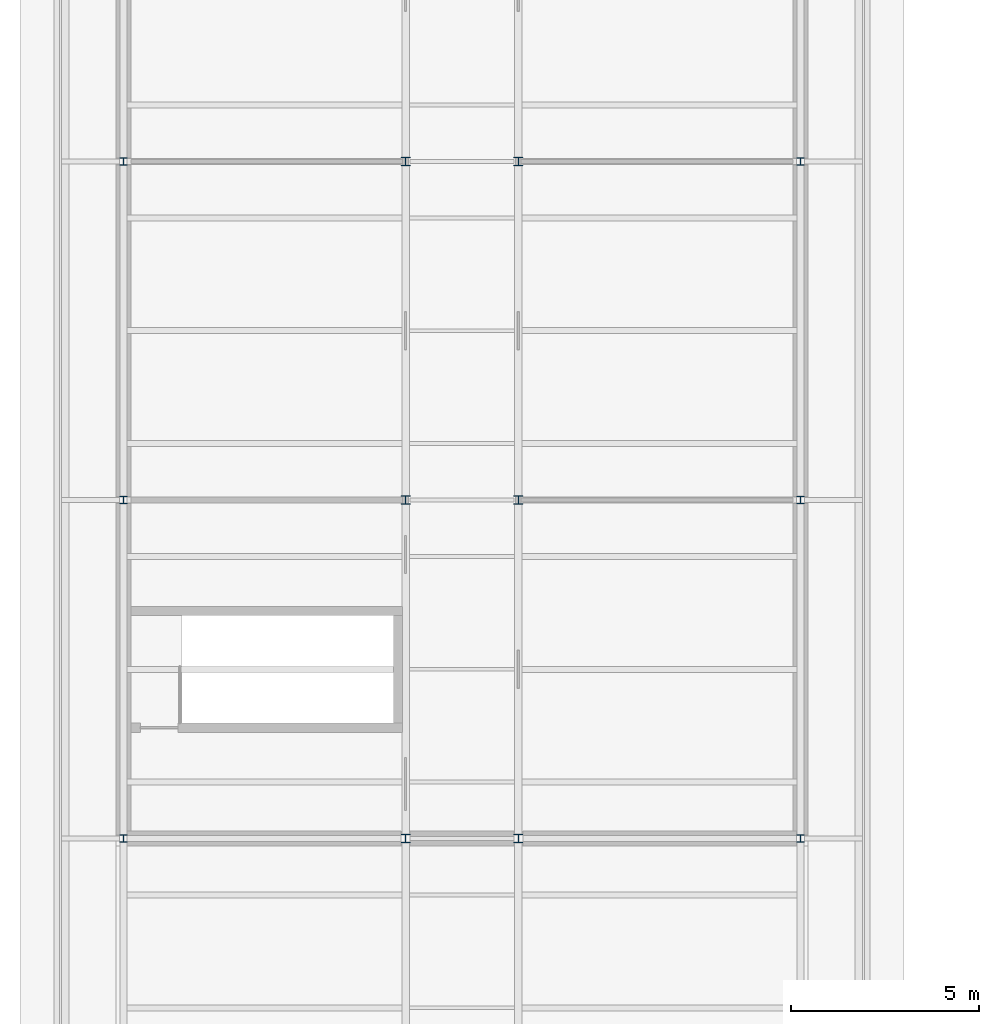
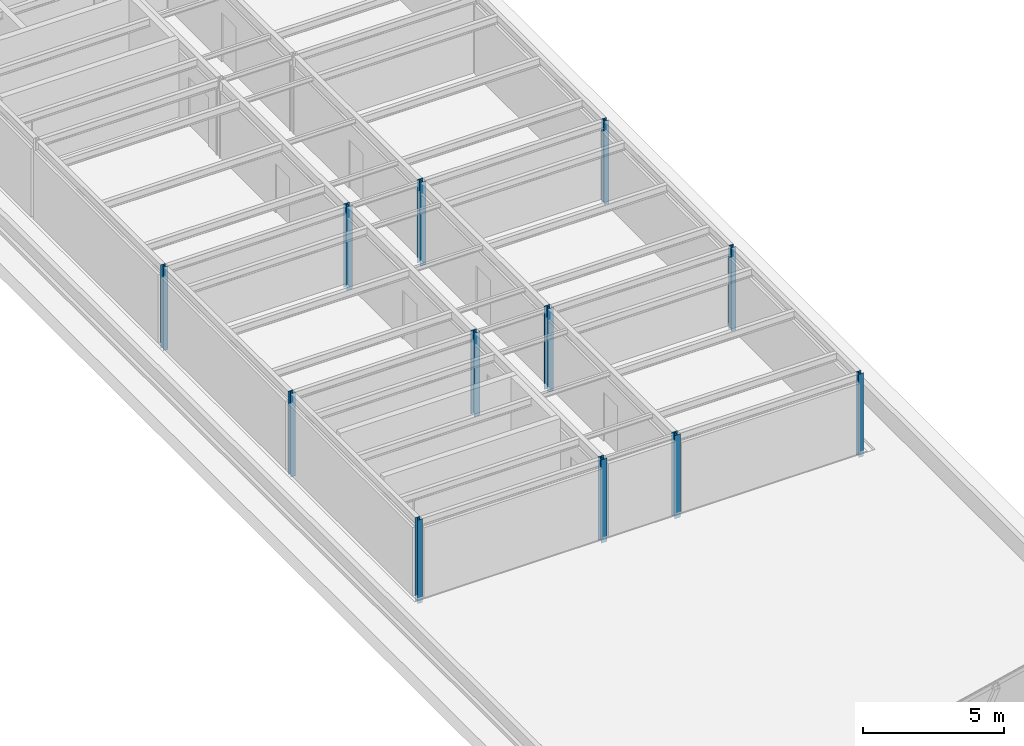
# One storey, part 1 of 29: 12 columns.
"""IFC4 building model written with IfcOpenShell, lengths in metres."""

from ifc_helpers import new_model, si_unit, direction, frame, origin, origin_2d, place, context, subcontext, project, spatial, i_section, extrude, material, material_profile, profile_set, type_object, element, save


model = new_model("IFC4")

# Units and contexts
model_context = context("Model", 3, precision=1e-05, world=origin(), true_north=direction((0.0, 1.0)))
body_context = subcontext(model_context, "Body", "Model", "MODEL_VIEW")
ifc_project = project(units=[si_unit("LENGTHUNIT", "METRE"), si_unit("AREAUNIT", "SQUARE_METRE"), si_unit("VOLUMEUNIT", "CUBIC_METRE"), si_unit("PLANEANGLEUNIT", "RADIAN"), si_unit("MASSUNIT", "GRAM", prefix="KILO")], contexts=[model_context])

# Site, building, storey
site_placement = place(None, origin())
site = spatial("IfcSite", under=ifc_project, at=site_placement, CompositionType="ELEMENT")
building_placement = place(site_placement, origin())
building = spatial("IfcBuilding", under=site, at=building_placement, Name="Golden Quay Civic Hall", CompositionType="ELEMENT")
storey_placement = place(building_placement, frame((0.0, 0.0, 27.0)))
storey = spatial("IfcBuildingStorey", under=building, at=storey_placement, Name="L06", CompositionType="ELEMENT", Elevation=27.0)

# Columns
ifc_material_1 = material(Name="Steel S355", Category="steel")
ifc_material_profile_1 = material_profile(ifc_material_1, i_section(OverallWidth=0.199951171875, OverallDepth=0.18994140625, WebThickness=0.006591796875, FlangeThickness=0.010009765625, FilletRadius=0.01806640625, at=origin_2d()), Name="HEA 200")
ifc_profile_set_1 = profile_set([ifc_material_profile_1], Name="Steel S355")
column_type_1 = type_object("IfcColumnType", Name="Steel column HEA 200", PredefinedType="COLUMN", material=ifc_profile_set_1)
for number, where, z_axis, x_axis, name in (
    (1, (0.0, 27.0, -0.25), (0.0, 0.0, 1.0), (1.0, 0.0, 0.0), "Column 0/27 L06"),
    (2, (0.0, 36.0, -0.25), (0.0, 0.0, 1.0), (1.0, 0.0, 0.0), "Column 0/36 L06"),
    (3, (0.0, 45.0, -0.25), (0.0, 0.0, 1.0), (1.0, 0.0, 0.0), "Column 0/45 L06"),
    (4, (18.0, 27.0, -0.25), (0.0, 0.0, 1.0), (1.0, 0.0, 0.0), "Column 18/27 L06"),
    (5, (18.0, 36.0, -0.25), (0.0, 0.0, 1.0), (1.0, 0.0, 0.0), "Column 18/36 L06"),
    (6, (18.0, 45.0, -0.25), (0.0, 0.0, 1.0), (1.0, 0.0, 0.0), "Column 18/45 L06"),
):
    element("IfcColumn", number, at=place(storey_placement, frame(where, z_axis=z_axis, x_axis=x_axis)), inside=storey, type_object=column_type_1, Name=name, PredefinedType="COLUMN", context=body_context, shape_type="SweptSolid", body=[
        extrude(i_section(OverallWidth=0.199951171875, OverallDepth=0.18994140625, WebThickness=0.006591796875, FlangeThickness=0.010009765625, FilletRadius=0.01806640625, at=origin_2d()), origin(), (0.0, 0.0, 1.0), 3.60009765625),
    ])
ifc_material_2 = material(Name="Steel S355", Category="steel")
ifc_material_profile_2 = material_profile(ifc_material_2, i_section(OverallWidth=0.239990234375, OverallDepth=0.22998046875, WebThickness=0.007568359375, FlangeThickness=0.011962890625, FilletRadius=0.02099609375, at=origin_2d()), Name="HEA 240")
ifc_profile_set_2 = profile_set([ifc_material_profile_2], Name="Steel S355")
column_type_2 = type_object("IfcColumnType", Name="Steel column HEA 240", PredefinedType="COLUMN", material=ifc_profile_set_2)
for number, where, z_axis, x_axis, name in (
    (7, (7.5, 27.0, -0.25), (0.0, 0.0, 1.0), (1.0, 0.0, 0.0), "Column 7.5/27 L06"),
    (8, (7.5, 36.0, -0.25), (0.0, 0.0, 1.0), (1.0, 0.0, 0.0), "Column 7.5/36 L06"),
    (9, (7.5, 45.0, -0.25), (0.0, 0.0, 1.0), (1.0, 0.0, 0.0), "Column 7.5/45 L06"),
    (10, (10.5, 27.0, -0.25), (0.0, 0.0, 1.0), (1.0, 0.0, 0.0), "Column 10.5/27 L06"),
    (11, (10.5, 36.0, -0.25), (0.0, 0.0, 1.0), (1.0, 0.0, 0.0), "Column 10.5/36 L06"),
    (12, (10.5, 45.0, -0.25), (0.0, 0.0, 1.0), (1.0, 0.0, 0.0), "Column 10.5/45 L06"),
):
    element("IfcColumn", number, at=place(storey_placement, frame(where, z_axis=z_axis, x_axis=x_axis)), inside=storey, type_object=column_type_2, Name=name, PredefinedType="COLUMN", context=body_context, shape_type="SweptSolid", body=[
        extrude(i_section(OverallWidth=0.239990234375, OverallDepth=0.22998046875, WebThickness=0.007568359375, FlangeThickness=0.011962890625, FilletRadius=0.02099609375, at=origin_2d()), origin(), (0.0, 0.0, 1.0), 3.60009765625),
    ])

save(model, "model.ifc")
